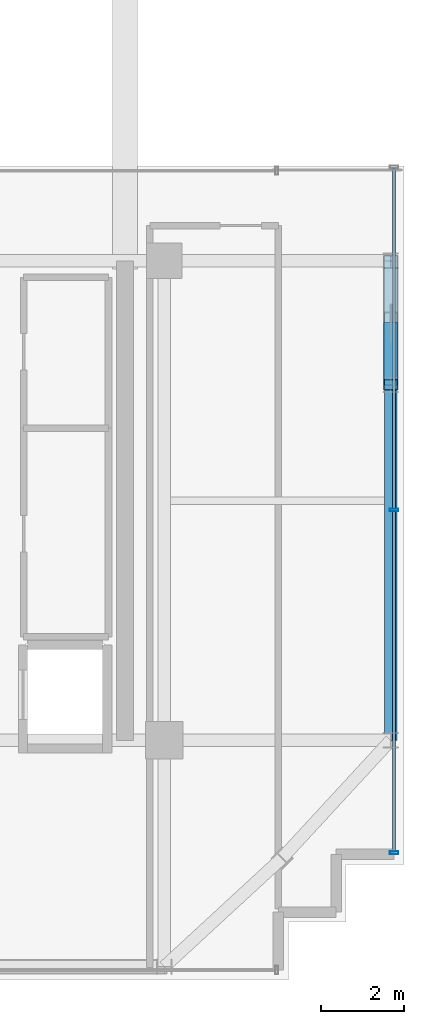
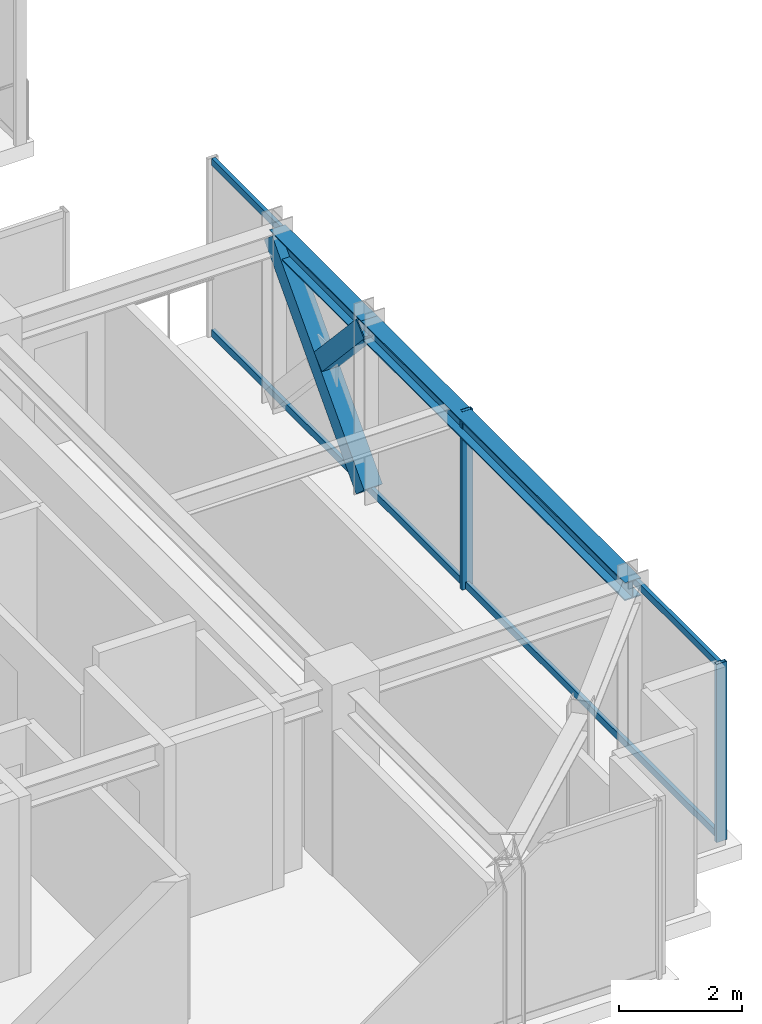
# One storey, part 18 of 41: 8 members, 2 beams, 1 element without a shape of its own.
"""IFC4 building model written with IfcOpenShell, lengths in metres."""

from ifc_helpers import new_model, si_unit, direction, frame, origin, origin_2d, place, context, subcontext, project, spatial, hollow_rectangle, i_section, extrude, source, transform, mapped, material, material_profile, profile_set, type_object, element, aggregate, save


model = new_model("IFC4")

# Units and contexts
model_context = context("Model", 3, precision=1e-05, world=origin(), true_north=direction((0.0, 1.0)))
body_context = subcontext(model_context, "Body", "Model", "MODEL_VIEW")
ifc_project = project(units=[si_unit("LENGTHUNIT", "METRE"), si_unit("AREAUNIT", "SQUARE_METRE"), si_unit("VOLUMEUNIT", "CUBIC_METRE"), si_unit("PLANEANGLEUNIT", "RADIAN"), si_unit("MASSUNIT", "GRAM", prefix="KILO")], contexts=[model_context])

# Site, building, storey
site_placement = place(None, origin())
site = spatial("IfcSite", under=ifc_project, at=site_placement, CompositionType="ELEMENT")
building_placement = place(site_placement, origin())
building = spatial("IfcBuilding", under=site, at=building_placement, Name="Nahalor Promenade Grand Hotel", CompositionType="ELEMENT")
storey_placement = place(building_placement, frame((0.0, 0.0, 304.199951171875)))
storey = spatial("IfcBuildingStorey", under=building, at=storey_placement, Name="L78", CompositionType="ELEMENT", Elevation=304.199951171875)

# Beams
ifc_material_1 = material(Name="Steel S355JR", Category="steel")
ifc_material_profile_1 = material_profile(ifc_material_1, i_section(OverallWidth=0.3, OverallDepth=0.36, WebThickness=0.0125, FlangeThickness=0.0225, at=origin_2d()), Name="HEB 360")
ifc_profile_set_1 = profile_set([ifc_material_profile_1], Name="Steel S355JR")
beam_type = type_object("IfcBeamType", Name="Beam-Spandrel-HEB360", PredefinedType="SPANDREL", material=ifc_profile_set_1)
shared_shape_1 = source(origin(), body_context, "Body", "SweptSolid", [
    extrude(i_section(OverallWidth=0.3, OverallDepth=0.36, WebThickness=0.0125, FlangeThickness=0.0225, at=origin_2d()), origin(), (0.0, 0.0, 1.0), 8.60009765625),
])
beam_1_placement = place(storey_placement, frame((22.47998046875, -17.0, 3.3701171875), z_axis=(0.0, 1.0, 0.0), x_axis=(-1.0, 0.0, 0.0)))
element("IfcBeam", 1, at=beam_1_placement, inside=storey, type_object=beam_type, Name="BM-L78-SP-E-0", PredefinedType="SPANDREL", context=body_context, shape_type="MappedRepresentation", body=[
    mapped(shared_shape_1, transform((0.0, 0.0, 0.0), scale=1.0)),
])
shared_shape_2 = source(origin(), body_context, "Body", "SweptSolid", [
    extrude(i_section(OverallWidth=0.3, OverallDepth=0.36, WebThickness=0.0125, FlangeThickness=0.0225, at=origin_2d()), origin(), (0.0, 0.0, 1.0), 3.0),
])
beam_2_placement = place(storey_placement, frame((22.47998046875, -8.39990234375, 3.3701171875), z_axis=(0.0, 1.0, 0.0), x_axis=(-1.0, 0.0, 0.0)))
element("IfcBeam", 2, at=beam_2_placement, inside=storey, type_object=beam_type, Name="BM-L78-SP-E-1", PredefinedType="SPANDREL", context=body_context, shape_type="MappedRepresentation", body=[
    mapped(shared_shape_2, transform((0.0, 0.0, 0.0), scale=1.0)),
])

# Members
ifc_material_profile_2 = material_profile(ifc_material_1, hollow_rectangle(XDim=0.35, YDim=0.35, WallThickness=0.02, at=origin_2d()), Name="SHS 350x350x20")
ifc_profile_set_2 = profile_set([ifc_material_profile_2], Name="Steel S355JR")
member_type_1 = type_object("IfcMemberType", Name="Mem-VoidBrace-SHS350", PredefinedType="BRACE", material=ifc_profile_set_2)
shared_shape_3 = source(origin(), body_context, "Body", "SweptSolid", [
    extrude(hollow_rectangle(XDim=0.35, YDim=0.35, WallThickness=0.02, at=origin_2d()), origin(), (0.0, 0.0, 1.0), 4.4228515625),
])
member_1_placement = place(storey_placement, frame((22.47998046875, -8.39990234375, 0.150146484375), z_axis=(0.0, 0.678280102733, 0.734803444627), x_axis=(-1.0, 0.0, 0.0)))
element("IfcMember", 3, at=member_1_placement, inside=storey, type_object=member_type_1, Name="EXO-L78-VX1-E0", PredefinedType="BRACE", context=body_context, shape_type="MappedRepresentation", body=[
    mapped(shared_shape_3, transform((0.0, 0.0, 0.0), scale=1.0)),
])
shared_shape_4 = source(origin(), body_context, "Body", "SweptSolid", [
    extrude(hollow_rectangle(XDim=0.35, YDim=0.35, WallThickness=0.02, at=origin_2d()), origin(), (0.0, 0.0, 1.0), 2.02392578125),
])
member_2_placement = place(storey_placement, frame((22.47998046875, -7.027099609375, 1.912841796875), z_axis=(0.0, -0.678255053132, 0.734826566545), x_axis=(1.0, 0.0, 0.0)))
element("IfcMember", 4, at=member_2_placement, inside=storey, type_object=member_type_1, Name="EXO-L78-VX2-E0B", PredefinedType="BRACE", context=body_context, shape_type="MappedRepresentation", body=[
    mapped(shared_shape_4, transform((0.0, 0.0, 0.0), scale=1.0)),
])

# Curtain wall, members
ifc_material_2 = material(Name="Anodised Bronze Aluminium EN AW-6063 T6", Category="aluminium")
curtain_wall_type = type_object("IfcCurtainWallType", Name="CW3 Elliptical-Void Collar Unitised Curtain Wall", PredefinedType="USERDEFINED", material=ifc_material_2)
curtain_wall_placement = place(storey_placement, origin())
curtain_wall = element("IfcCurtainWall", 5, at=curtain_wall_placement, inside=storey, type_object=curtain_wall_type, Name="L78 Curtain Wall CW-L78-E-1", ObjectType="UNITISED_CURTAIN_WALL", PredefinedType="USERDEFINED")
ifc_material_profile_3 = material_profile(ifc_material_2, hollow_rectangle(XDim=0.07, YDim=0.14, WallThickness=0.004, at=origin_2d()), Name="CWT 70x140x4")
ifc_profile_set_3 = profile_set([ifc_material_profile_3], Name="Anodised Bronze Aluminium EN AW-6063 T6")
member_type_2 = type_object("IfcMemberType", Name="CWT3 Void Collar Transom 70x140", PredefinedType="USERDEFINED", material=ifc_profile_set_3)
shared_shape_5 = source(origin(), body_context, "Body", "SweptSolid", [
    extrude(hollow_rectangle(XDim=0.07, YDim=0.14, WallThickness=0.004, at=origin_2d()), origin(), (0.0, 0.0, 1.0), 8.224853515625),
])
member_3_placement = place(storey_placement, frame((22.56005859375, -19.68994140625, 0.070068359375), z_axis=(0.0, 1.0, 0.0), x_axis=(-1.0, 0.0, 0.0)))
member_3 = element("IfcMember", 6, at=member_3_placement, type_object=member_type_2, Name="CW-L78-E-1 Transom 0-0", ObjectType="TRANSOM", PredefinedType="USERDEFINED", context=body_context, shape_type="MappedRepresentation", body=[
    mapped(shared_shape_5, transform((0.0, 0.0, 0.0), scale=1.0)),
])
member_4_placement = place(storey_placement, frame((22.56005859375, -19.68994140625, 3.47998046875), z_axis=(0.0, 1.0, 0.0), x_axis=(-1.0, 0.0, 0.0)))
member_4 = element("IfcMember", 7, at=member_4_placement, type_object=member_type_2, Name="CW-L78-E-1 Transom 0-1", ObjectType="TRANSOM", PredefinedType="USERDEFINED", context=body_context, shape_type="MappedRepresentation", body=[
    mapped(shared_shape_5, transform((0.0, 0.0, 0.0), scale=1.0)),
])
shared_shape_6 = source(origin(), body_context, "Body", "SweptSolid", [
    extrude(hollow_rectangle(XDim=0.07, YDim=0.14, WallThickness=0.004, at=origin_2d()), origin(), (0.0, 0.0, 1.0), 8.22509765625),
])
member_5_placement = place(storey_placement, frame((22.56005859375, -11.39501953125, 0.070068359375), z_axis=(0.0, 1.0, 0.0), x_axis=(-1.0, 0.0, 0.0)))
member_5 = element("IfcMember", 8, at=member_5_placement, type_object=member_type_2, Name="CW-L78-E-1 Transom 1-0", ObjectType="TRANSOM", PredefinedType="USERDEFINED", context=body_context, shape_type="MappedRepresentation", body=[
    mapped(shared_shape_6, transform((0.0, 0.0, 0.0), scale=1.0)),
])
member_6_placement = place(storey_placement, frame((22.56005859375, -11.39501953125, 3.47998046875), z_axis=(0.0, 1.0, 0.0), x_axis=(-1.0, 0.0, 0.0)))
member_6 = element("IfcMember", 9, at=member_6_placement, type_object=member_type_2, Name="CW-L78-E-1 Transom 1-1", ObjectType="TRANSOM", PredefinedType="USERDEFINED", context=body_context, shape_type="MappedRepresentation", body=[
    mapped(shared_shape_6, transform((0.0, 0.0, 0.0), scale=1.0)),
])
ifc_material_profile_4 = material_profile(ifc_material_2, hollow_rectangle(XDim=0.07, YDim=0.2, WallThickness=0.005, at=origin_2d()), Name="CWM 70x200x5")
ifc_profile_set_4 = profile_set([ifc_material_profile_4], Name="Anodised Bronze Aluminium EN AW-6063 T6")
member_type_3 = type_object("IfcMemberType", Name="CWM3 Void Collar Mullion 70x200", PredefinedType="MULLION", material=ifc_profile_set_4)
shared_shape_7 = source(origin(), body_context, "Body", "SweptSolid", [
    extrude(hollow_rectangle(XDim=0.07, YDim=0.2, WallThickness=0.005, at=origin_2d()), origin(), (0.0, 0.0, 1.0), 3.550048828125),
])
member_7_placement = place(storey_placement, frame((22.56005859375, -19.72509765625, 0.0), z_axis=(0.0, 0.0, 1.0), x_axis=(0.0, 1.0, 0.0)))
member_7 = element("IfcMember", 10, at=member_7_placement, type_object=member_type_3, Name="CW-L78-E-1 Mullion 0", PredefinedType="MULLION", context=body_context, shape_type="MappedRepresentation", body=[
    mapped(shared_shape_7, transform((0.0, 0.0, 0.0), scale=1.0)),
])
member_8_placement = place(storey_placement, frame((22.56005859375, -11.429931640625, 0.0), z_axis=(0.0, 0.0, 1.0), x_axis=(0.0, 1.0, 0.0)))
member_8 = element("IfcMember", 11, at=member_8_placement, type_object=member_type_3, Name="CW-L78-E-1 Mullion 1", PredefinedType="MULLION", context=body_context, shape_type="MappedRepresentation", body=[
    mapped(shared_shape_7, transform((0.0, 0.0, 0.0), scale=1.0)),
])
aggregate(curtain_wall, [member_7, member_8, member_3, member_4, member_5, member_6])

save(model, "model.ifc")
